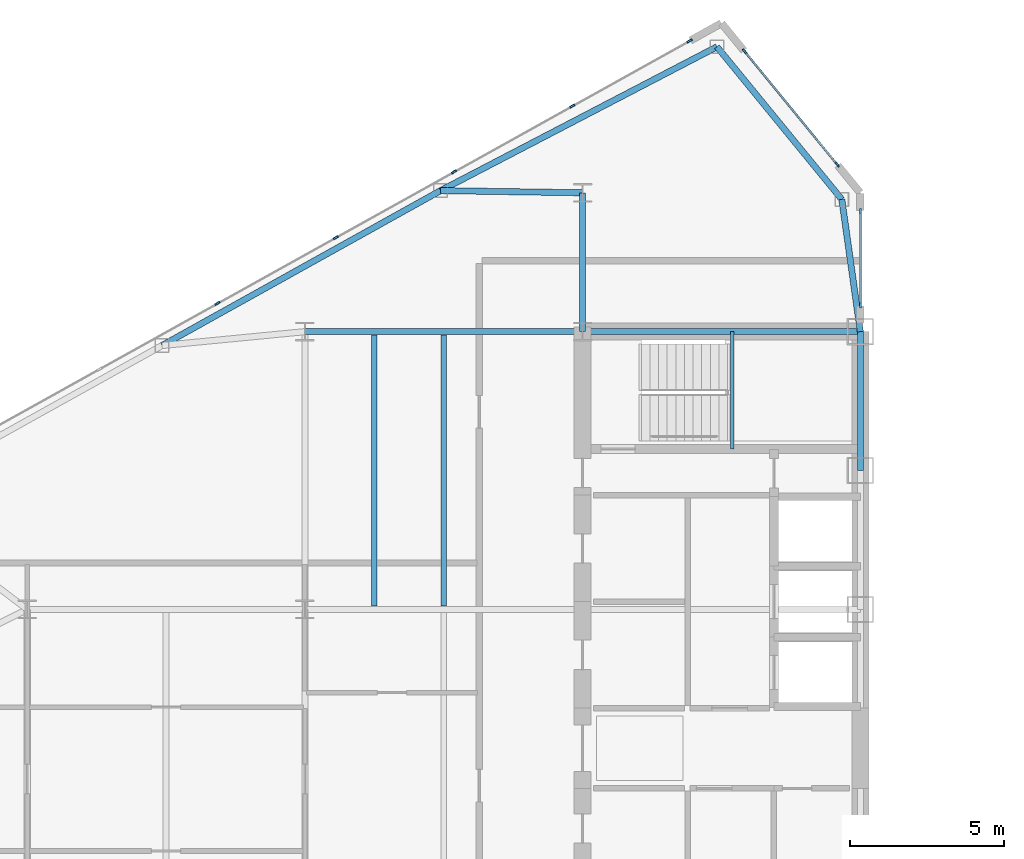
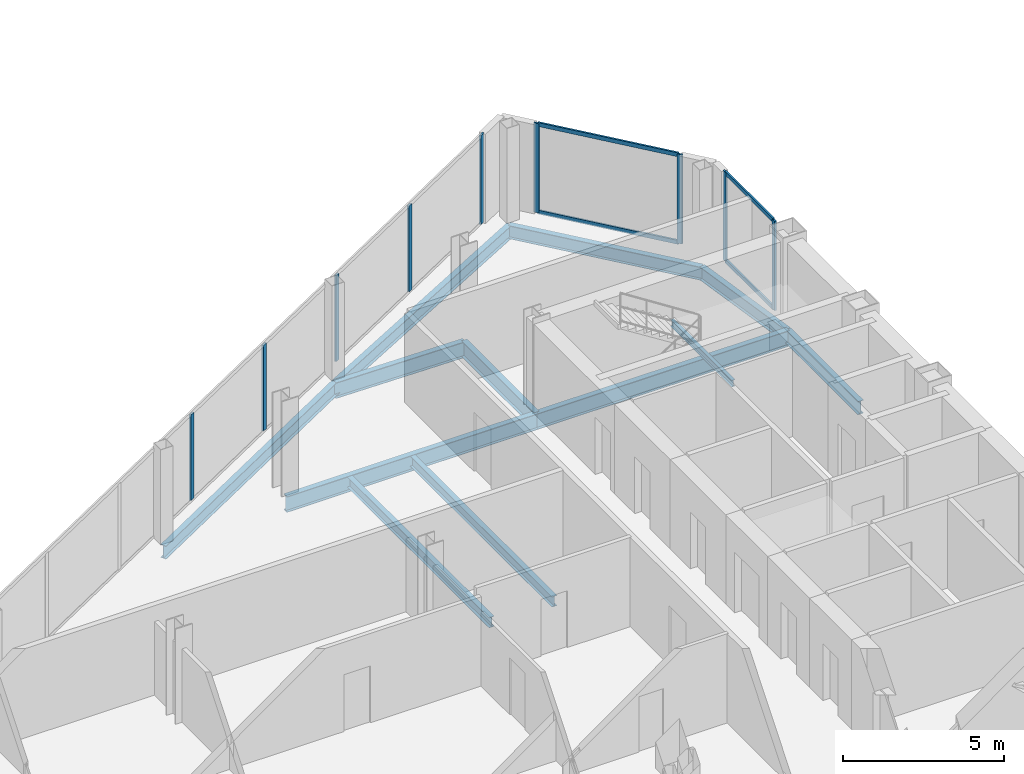
# One storey, part 10 of 26: 13 members, 12 beams, 3 elements without a shape of their own.
"""IFC4 building model written with IfcOpenShell, lengths in metres."""

from ifc_helpers import new_model, si_unit, direction, frame, origin, origin_2d, place, context, subcontext, project, spatial, rectangle, i_section, extrude, source, transform, mapped, material, layer, layer_set, material_profile, profile_set, type_object, type_shapes, element, aggregate, save


model = new_model("IFC4")

# Units and contexts
model_context = context("Model", 3, precision=1e-05, world=origin(), true_north=direction((0.0, 1.0)))
body_context = subcontext(model_context, "Body", "Model", "MODEL_VIEW")
ifc_project = project(units=[si_unit("LENGTHUNIT", "METRE"), si_unit("AREAUNIT", "SQUARE_METRE"), si_unit("VOLUMEUNIT", "CUBIC_METRE"), si_unit("PLANEANGLEUNIT", "RADIAN"), si_unit("MASSUNIT", "GRAM", prefix="KILO")], contexts=[model_context])

# Site, building, storey
site_placement = place(None, origin())
site = spatial("IfcSite", under=ifc_project, at=site_placement, CompositionType="ELEMENT")
building_placement = place(site_placement, origin())
building = spatial("IfcBuilding", under=site, at=building_placement, Name="Seokmaru Belvedere", CompositionType="ELEMENT")
storey_placement = place(building_placement, frame((0.0, 0.0, 167.10009765625)))
storey = spatial("IfcBuildingStorey", under=building, at=storey_placement, Name="L44", CompositionType="ELEMENT", Elevation=167.10009765625)

# Beams
ifc_material_1 = material(Name="Steel SM355 (355 MPa)", Category="steel")
ifc_material_profile_1 = material_profile(ifc_material_1, i_section(OverallWidth=0.199951171875, OverallDepth=0.5, WebThickness=0.010009765625, FlangeThickness=0.01611328125, at=origin_2d()), Name="H-500x200x10x16")
ifc_profile_set_1 = profile_set([ifc_material_profile_1], Name="Steel SM355 (355 MPa)")
beam_type_1 = type_object("IfcBeamType", Name="Perimeter Spandrel Beam H-500", PredefinedType="SPANDREL", material=ifc_profile_set_1)
shared_shape_1 = source(origin(), body_context, "Body", "SweptSolid", [
    extrude(i_section(OverallWidth=0.199951171875, OverallDepth=0.5, WebThickness=0.010009765625, FlangeThickness=0.01611328125, at=origin_2d()), origin(), (0.0, 0.0, 1.0), 4.5),
])
beam_1_placement = place(storey_placement, frame((-27.5, 9.0, -0.47021484375), z_axis=(0.0, 1.0, 0.0), x_axis=(-1.0, 0.0, 0.0)))
element("IfcBeam", 1, at=beam_1_placement, inside=storey, type_object=beam_type_1, Name="L44 W Portal Spine Spandrel 5", PredefinedType="SPANDREL", context=body_context, shape_type="MappedRepresentation", body=[
    mapped(shared_shape_1, transform((0.0, 0.0, 0.0), scale=1.0)),
])
ifc_material_profile_2 = material_profile(ifc_material_1, i_section(OverallWidth=0.199951171875, OverallDepth=0.60009765625, WebThickness=0.010986328125, FlangeThickness=0.01708984375, at=origin_2d()), Name="H-600x200x11x17")
ifc_profile_set_2 = profile_set([ifc_material_profile_2], Name="Steel SM355 (355 MPa)")
beam_type_2 = type_object("IfcBeamType", Name="Primary Floor Girder H-600", PredefinedType="BEAM", material=ifc_profile_set_2)
shared_shape_2 = source(origin(), body_context, "Body", "SweptSolid", [
    extrude(i_section(OverallWidth=0.199951171875, OverallDepth=0.60009765625, WebThickness=0.010986328125, FlangeThickness=0.01708984375, at=origin_2d()), origin(), (0.0, 0.0, 1.0), 9.0),
])
for number, where, z_axis, x_axis, name in (
    (2, (-36.5, 13.5, -0.52001953125), (1.0, 0.0, 0.0), (0.0, 1.0, 0.0), "L44 W Core Tie Girder 4"),
    (3, (-45.5, 13.5, -0.52001953125), (1.0, 0.0, 0.0), (0.0, 1.0, 0.0), "L44 W Wing Primary Girder 4"),
):
    element("IfcBeam", number, at=place(storey_placement, frame(where, z_axis=z_axis, x_axis=x_axis)), inside=storey, type_object=beam_type_2, Name=name, PredefinedType="BEAM", context=body_context, shape_type="MappedRepresentation", body=[
        mapped(shared_shape_2, transform((0.0, 0.0, 0.0), scale=1.0)),
    ])
ifc_material_profile_3 = material_profile(ifc_material_1, i_section(OverallWidth=0.18505859375, OverallDepth=0.389892578125, WebThickness=0.008056640625, FlangeThickness=0.011962890625, at=origin_2d()), Name="H-390x185x8x12")
ifc_profile_set_3 = profile_set([ifc_material_profile_3], Name="Steel SM355 (355 MPa)")
beam_type_3 = type_object("IfcBeamType", Name="Secondary Floor Joist H-350", PredefinedType="JOIST", material=ifc_profile_set_3)
shared_shape_3 = source(origin(), body_context, "Body", "SweptSolid", [
    extrude(i_section(OverallWidth=0.18505859375, OverallDepth=0.389892578125, WebThickness=0.008056640625, FlangeThickness=0.011962890625, at=origin_2d()), origin(), (0.0, 0.0, 1.0), 8.7900390625),
])
type_shapes(beam_type_3, [shared_shape_3])
for number, where, z_axis, x_axis, name in (
    (4, (-43.25, 4.60498046875, -0.4150390625), (0.0, 1.0, 0.0), (-1.0, 0.0, 0.0), "L44 W Wing Inner Secondary Joist 2"),
    (5, (-41.0, 4.60498046875, -0.4150390625), (0.0, 1.0, 0.0), (-1.0, 0.0, 0.0), "L44 W Secondary Floor Joist 3"),
):
    element("IfcBeam", number, at=place(storey_placement, frame(where, z_axis=z_axis, x_axis=x_axis)), inside=storey, type_object=beam_type_3, Name=name, PredefinedType="JOIST", context=body_context, shape_type="MappedRepresentation", body=[
        mapped(shared_shape_3, transform((0.0, 0.0, 0.0), scale=1.0)),
    ])
shared_shape_4 = source(origin(), body_context, "Body", "SweptSolid", [
    extrude(i_section(OverallWidth=0.199951171875, OverallDepth=0.60009765625, WebThickness=0.010986328125, FlangeThickness=0.01708984375, at=origin_2d()), origin(), (0.0, 0.0, 1.0), 4.5),
])
beam_2_placement = place(storey_placement, frame((-36.5, 13.5, -0.52001953125), z_axis=(0.0, 1.0, 0.0), x_axis=(-1.0, 0.0, 0.0)))
element("IfcBeam", 6, at=beam_2_placement, inside=storey, type_object=beam_type_2, Name="L44 W Core Shoulder Girder N", PredefinedType="BEAM", context=body_context, shape_type="MappedRepresentation", body=[
    mapped(shared_shape_4, transform((0.0, 0.0, 0.0), scale=1.0)),
])
shared_shape_5 = source(origin(), body_context, "Body", "SweptSolid", [
    extrude(i_section(OverallWidth=0.199951171875, OverallDepth=0.5, WebThickness=0.010009765625, FlangeThickness=0.01611328125, at=origin_2d()), origin(), (0.0, 0.0, 1.0), 10.09716796875),
])
beam_3_placement = place(storey_placement, frame((-32.146728515625, 22.731689453125, -0.47021484375), z_axis=(-0.887085728914, -0.461604711369, 0.0), x_axis=(0.461604711369, -0.887085728914, 0.0)))
element("IfcBeam", 7, at=beam_3_placement, inside=storey, type_object=beam_type_1, Name="L44 W Faceted Flank Spandrel N-1", PredefinedType="SPANDREL", context=body_context, shape_type="MappedRepresentation", body=[
    mapped(shared_shape_5, transform((0.0, 0.0, 0.0), scale=1.0)),
])
shared_shape_6 = source(origin(), body_context, "Body", "SweptSolid", [
    extrude(i_section(OverallWidth=0.199951171875, OverallDepth=0.5, WebThickness=0.010009765625, FlangeThickness=0.01611328125, at=origin_2d()), origin(), (0.0, 0.0, 1.0), 10.327392578125),
])
beam_4_placement = place(storey_placement, frame((-41.103759765625, 18.07080078125, -0.47021484375), z_axis=(-0.873924120588, -0.486062374037, 0.0), x_axis=(0.486062374037, -0.873924120588, 0.0)))
element("IfcBeam", 8, at=beam_4_placement, inside=storey, type_object=beam_type_1, Name="L44 W Faceted Flank Spandrel N-2", PredefinedType="SPANDREL", context=body_context, shape_type="MappedRepresentation", body=[
    mapped(shared_shape_6, transform((0.0, 0.0, 0.0), scale=1.0)),
])
shared_shape_7 = source(origin(), body_context, "Body", "SweptSolid", [
    extrude(i_section(OverallWidth=0.199951171875, OverallDepth=0.5, WebThickness=0.010009765625, FlangeThickness=0.01611328125, at=origin_2d()), origin(), (0.0, 0.0, 1.0), 6.390380859375),
])
beam_5_placement = place(storey_placement, frame((-32.146728515625, 22.731689453125, -0.47021484375), z_axis=(0.63324403161, -0.7739521926, 0.0), x_axis=(0.7739521926, 0.63324403161, 0.0)))
element("IfcBeam", 9, at=beam_5_placement, inside=storey, type_object=beam_type_1, Name="L44 W Shoulder Chamfer Spandrel N", PredefinedType="SPANDREL", context=body_context, shape_type="MappedRepresentation", body=[
    mapped(shared_shape_7, transform((0.0, 0.0, 0.0), scale=1.0)),
])
shared_shape_8 = source(origin(), body_context, "Body", "SweptSolid", [
    extrude(i_section(OverallWidth=0.199951171875, OverallDepth=0.5, WebThickness=0.010009765625, FlangeThickness=0.01611328125, at=origin_2d()), origin(), (0.0, 0.0, 1.0), 4.32763671875),
])
type_shapes(beam_type_1, [shared_shape_1, shared_shape_5, shared_shape_6, shared_shape_7, shared_shape_8])
beam_6_placement = place(storey_placement, frame((-28.10009765625, 17.785888671875, -0.47021484375), z_axis=(0.138664443237, -0.990339422714, 0.0), x_axis=(0.990339422714, 0.138664443237, 0.0)))
element("IfcBeam", 10, at=beam_6_placement, inside=storey, type_object=beam_type_1, Name="L44 W Shoulder Spine Spandrel N", PredefinedType="SPANDREL", context=body_context, shape_type="MappedRepresentation", body=[
    mapped(shared_shape_8, transform((0.0, 0.0, 0.0), scale=1.0)),
])
shared_shape_9 = source(origin(), body_context, "Body", "SweptSolid", [
    extrude(i_section(OverallWidth=0.199951171875, OverallDepth=0.60009765625, WebThickness=0.010986328125, FlangeThickness=0.01708984375, at=origin_2d()), origin(), (0.0, 0.0, 1.0), 4.604248046875),
])
type_shapes(beam_type_2, [shared_shape_2, shared_shape_4, shared_shape_9])
beam_7_placement = place(storey_placement, frame((-41.103759765625, 18.07080078125, -0.52001953125), z_axis=(0.999881765622, -0.01537708607, 0.0), x_axis=(0.01537708607, 0.999881765622, 0.0)))
element("IfcBeam", 11, at=beam_7_placement, inside=storey, type_object=beam_type_2, Name="L44 W Flank Radial Floor Girder N-1", PredefinedType="BEAM", context=body_context, shape_type="MappedRepresentation", body=[
    mapped(shared_shape_9, transform((0.0, 0.0, 0.0), scale=1.0)),
])

# Curtain wall, members
ifc_material_2 = material(Name="Bronze Triple Insulating Glass", Category="glass")
ifc_layer = layer(ifc_material_2, 0.179931640625)
ifc_layer_set = layer_set([ifc_layer], Name="Bronze Triple Insulating Glass")
curtain_wall_type = type_object("IfcCurtainWallType", Name="High-Rise Wind-Corner Curtain Wall System CW-5", PredefinedType="NOTDEFINED", material=ifc_layer_set)
curtain_wall_1_placement = place(storey_placement, origin())
curtain_wall_1 = element("IfcCurtainWall", 12, at=curtain_wall_1_placement, inside=storey, type_object=curtain_wall_type, Name="L44 Curtain Wall WSP_2", PredefinedType="NOTDEFINED")
ifc_material_3 = material(Name="Anodised Bronze Aluminium", Category="aluminium")
ifc_material_profile_4 = material_profile(ifc_material_3, rectangle(XDim=0.06494140625, YDim=0.14990234375, at=origin_2d()), Name="CW-T-65x150")
ifc_profile_set_4 = profile_set([ifc_material_profile_4], Name="Anodised Bronze Aluminium")
member_type_1 = type_object("IfcMemberType", Name="Bronze Unitised Transom 65x150", PredefinedType="USERDEFINED", material=ifc_profile_set_4)
shared_shape_10 = source(origin(), body_context, "Body", "SweptSolid", [
    extrude(rectangle(XDim=0.06494140625, YDim=0.14990234375, at=origin_2d()), origin(), (0.0, 0.0, 1.0), 2.969970703125),
])
member_1_placement = place(storey_placement, frame((-27.5, 14.39501953125, 0.032470703125), z_axis=(0.0, 1.0, 0.0), x_axis=(-1.0, 0.0, 0.0)))
member_1 = element("IfcMember", 13, at=member_1_placement, type_object=member_type_1, Name="CW:L44:WSP_2 Continuous Transom 1", ObjectType="TRANSOM", PredefinedType="USERDEFINED", context=body_context, shape_type="MappedRepresentation", body=[
    mapped(shared_shape_10, transform((0.0, 0.0, 0.0), scale=1.0)),
])
member_2_placement = place(storey_placement, frame((-27.5, 14.39501953125, 3.347412109375), z_axis=(0.0, 1.0, 0.0), x_axis=(-1.0, 0.0, 0.0)))
member_2 = element("IfcMember", 14, at=member_2_placement, type_object=member_type_1, Name="CW:L44:WSP_2 Continuous Transom 2", ObjectType="TRANSOM", PredefinedType="USERDEFINED", context=body_context, shape_type="MappedRepresentation", body=[
    mapped(shared_shape_10, transform((0.0, 0.0, 0.0), scale=1.0)),
])

curtain_wall_2_placement = place(storey_placement, origin())
curtain_wall_2 = element("IfcCurtainWall", 15, at=curtain_wall_2_placement, inside=storey, type_object=curtain_wall_type, Name="L44 Curtain Wall WF2", PredefinedType="NOTDEFINED")
shared_shape_11 = source(origin(), body_context, "Body", "SweptSolid", [
    extrude(rectangle(XDim=0.06494140625, YDim=0.14990234375, at=origin_2d()), origin(), (0.0, 0.0, 1.0), 4.67626953125),
])
type_shapes(member_type_1, [shared_shape_10, shared_shape_11])
member_3_placement = place(storey_placement, frame((-28.269287109375, 18.9404296875, 0.032470703125), z_axis=(-0.633277591216, 0.773924733074, 0.0), x_axis=(-0.773924733074, -0.633277591216, 0.0)))
member_3 = element("IfcMember", 16, at=member_3_placement, type_object=member_type_1, Name="CW:L44:WF2 Continuous Transom 1", ObjectType="TRANSOM", PredefinedType="USERDEFINED", context=body_context, shape_type="MappedRepresentation", body=[
    mapped(shared_shape_11, transform((0.0, 0.0, 0.0), scale=1.0)),
])
member_4_placement = place(storey_placement, frame((-28.269287109375, 18.9404296875, 3.347412109375), z_axis=(-0.633277591216, 0.773924733074, 0.0), x_axis=(-0.773924733074, -0.633277591216, 0.0)))
member_4 = element("IfcMember", 17, at=member_4_placement, type_object=member_type_1, Name="CW:L44:WF2 Continuous Transom 2", ObjectType="TRANSOM", PredefinedType="USERDEFINED", context=body_context, shape_type="MappedRepresentation", body=[
    mapped(shared_shape_11, transform((0.0, 0.0, 0.0), scale=1.0)),
])

# Member
ifc_material_profile_5 = material_profile(ifc_material_3, rectangle(XDim=0.06494140625, YDim=0.179931640625, at=origin_2d()), Name="CW-M-65x180")
ifc_profile_set_5 = profile_set([ifc_material_profile_5], Name="Anodised Bronze Aluminium")
member_type_2 = type_object("IfcMemberType", Name="Bronze Unitised Mullion 65x180", PredefinedType="MULLION", material=ifc_profile_set_5)
shared_shape_12 = source(origin(), body_context, "Body", "SweptSolid", [
    extrude(rectangle(XDim=0.06494140625, YDim=0.179931640625, at=origin_2d()), origin(), (0.0, 0.0, 1.0), 3.3798828125),
])
member_5_placement = place(storey_placement, frame((-27.5, 14.362548828125, 0.0), z_axis=(0.0, 0.0, 1.0), x_axis=(-1.0, 0.0, 0.0)))
member_5 = element("IfcMember", 18, at=member_5_placement, type_object=member_type_2, Name="CW:L44:WSP_2 Mullion 1", PredefinedType="MULLION", context=body_context, shape_type="MappedRepresentation", body=[
    mapped(shared_shape_12, transform((0.0, 0.0, 0.0), scale=1.0)),
])

member_6_placement = place(storey_placement, frame((-27.5, 17.3974609375, 0.0), z_axis=(0.0, 0.0, 1.0), x_axis=(-1.0, 0.0, 0.0)))
member_6 = element("IfcMember", 19, at=member_6_placement, type_object=member_type_2, Name="CW:L44:WSP_2 Mullion 2", PredefinedType="MULLION", context=body_context, shape_type="MappedRepresentation", body=[
    mapped(shared_shape_12, transform((0.0, 0.0, 0.0), scale=1.0)),
])

aggregate(curtain_wall_1, [member_5, member_6, member_1, member_2])

member_7_placement = place(storey_placement, frame((-28.248779296875, 18.915283203125, 0.0), z_axis=(0.0, 0.0, 1.0), x_axis=(-0.773944112379, -0.633253907144, 0.0)))
member_7 = element("IfcMember", 20, at=member_7_placement, type_object=member_type_2, Name="CW:L44:WF2 Mullion 1", PredefinedType="MULLION", context=body_context, shape_type="MappedRepresentation", body=[
    mapped(shared_shape_12, transform((0.0, 0.0, 0.0), scale=1.0)),
])

member_8_placement = place(storey_placement, frame((-31.251220703125, 22.584716796875, 0.0), z_axis=(0.0, 0.0, 1.0), x_axis=(-0.773944112379, -0.633253907144, 0.0)))
member_8 = element("IfcMember", 21, at=member_8_placement, type_object=member_type_2, Name="CW:L44:WF2 Mullion 2", PredefinedType="MULLION", context=body_context, shape_type="MappedRepresentation", body=[
    mapped(shared_shape_12, transform((0.0, 0.0, 0.0), scale=1.0)),
])

aggregate(curtain_wall_2, [member_7, member_8, member_3, member_4])

# Curtain wall, members
curtain_wall_3_placement = place(storey_placement, origin())
curtain_wall_3 = element("IfcCurtainWall", 22, at=curtain_wall_3_placement, inside=storey, type_object=curtain_wall_type, Name="L44 Curtain Wall WF3", PredefinedType="NOTDEFINED")
member_9_placement = place(storey_placement, frame((-33.033447265625, 22.92529296875, 0.0), z_axis=(0.0, 0.0, 1.0), x_axis=(0.486047125147, -0.873932601598, 0.0)))
member_9 = element("IfcMember", 23, at=member_9_placement, type_object=member_type_2, Name="CW:L44:WF3 Mullion 1", PredefinedType="MULLION", context=body_context, shape_type="MappedRepresentation", body=[
    mapped(shared_shape_12, transform((0.0, 0.0, 0.0), scale=1.0)),
])
shared_shape_13 = source(origin(), body_context, "Body", "SweptSolid", [
    extrude(rectangle(XDim=0.06494140625, YDim=0.179931640625, at=origin_2d()), origin(), (0.0, 0.0, 1.0), 3.25),
])
type_shapes(member_type_2, [shared_shape_12, shared_shape_13])
member_10_placement = place(storey_placement, frame((-36.837158203125, 20.809814453125, 0.06494140625), z_axis=(0.0, 0.0, 1.0), x_axis=(0.486047125147, -0.873932601598, 0.0)))
member_10 = element("IfcMember", 24, at=member_10_placement, type_object=member_type_2, Name="CW:L44:WF3 Mullion 2", PredefinedType="MULLION", context=body_context, shape_type="MappedRepresentation", body=[
    mapped(shared_shape_13, transform((0.0, 0.0, 0.0), scale=1.0)),
])
member_11_placement = place(storey_placement, frame((-40.66943359375, 18.67822265625, 0.06494140625), z_axis=(0.0, 0.0, 1.0), x_axis=(0.486047125147, -0.873932601598, 0.0)))
member_11 = element("IfcMember", 25, at=member_11_placement, type_object=member_type_2, Name="CW:L44:WF3 Mullion 3", PredefinedType="MULLION", context=body_context, shape_type="MappedRepresentation", body=[
    mapped(shared_shape_13, transform((0.0, 0.0, 0.0), scale=1.0)),
])
member_12_placement = place(storey_placement, frame((-44.501708984375, 16.547119140625, 0.06494140625), z_axis=(0.0, 0.0, 1.0), x_axis=(0.486047125147, -0.873932601598, 0.0)))
member_12 = element("IfcMember", 26, at=member_12_placement, type_object=member_type_2, Name="CW:L44:WF3 Mullion 4", PredefinedType="MULLION", context=body_context, shape_type="MappedRepresentation", body=[
    mapped(shared_shape_13, transform((0.0, 0.0, 0.0), scale=1.0)),
])
member_13_placement = place(storey_placement, frame((-48.333984375, 14.415771484375, 0.06494140625), z_axis=(0.0, 0.0, 1.0), x_axis=(0.486047125147, -0.873932601598, 0.0)))
member_13 = element("IfcMember", 27, at=member_13_placement, type_object=member_type_2, Name="CW:L44:WF3 Mullion 5", PredefinedType="MULLION", context=body_context, shape_type="MappedRepresentation", body=[
    mapped(shared_shape_13, transform((0.0, 0.0, 0.0), scale=1.0)),
])
aggregate(curtain_wall_3, [member_9, member_10, member_11, member_12, member_13])

# Beam
ifc_material_profile_6 = material_profile(ifc_material_1, i_section(OverallWidth=0.125, OverallDepth=0.25, WebThickness=0.006103515625, FlangeThickness=0.009033203125, at=origin_2d()), Name="H-250x125x6x9")
ifc_profile_set_6 = profile_set([ifc_material_profile_6], Name="Steel SM355 (355 MPa)")
beam_type_4 = type_object("IfcBeamType", Name="Stair Mid-Landing Support Beam H-250", PredefinedType="JOIST", material=ifc_profile_set_6)
shared_shape_14 = source(origin(), body_context, "Body", "SweptSolid", [
    extrude(i_section(OverallWidth=0.125, OverallDepth=0.25, WebThickness=0.006103515625, FlangeThickness=0.009033203125, at=origin_2d()), origin(), (0.0, 0.0, 1.0), 3.800048828125),
])
type_shapes(beam_type_4, [shared_shape_14])
beam_8_placement = place(storey_placement, frame((-31.64990234375, 9.699951171875, 1.474853515625), z_axis=(0.0, 1.0, 0.0), x_axis=(-1.0, 0.0, 0.0)))
element("IfcBeam", 28, at=beam_8_placement, inside=storey, type_object=beam_type_4, Name="L44 Stair ST-W2 Mid-Landing Support Beam 1", PredefinedType="JOIST", context=body_context, shape_type="MappedRepresentation", body=[
    mapped(shared_shape_14, transform((0.0, 0.0, 0.0), scale=1.0)),
])

save(model, "model.ifc")
